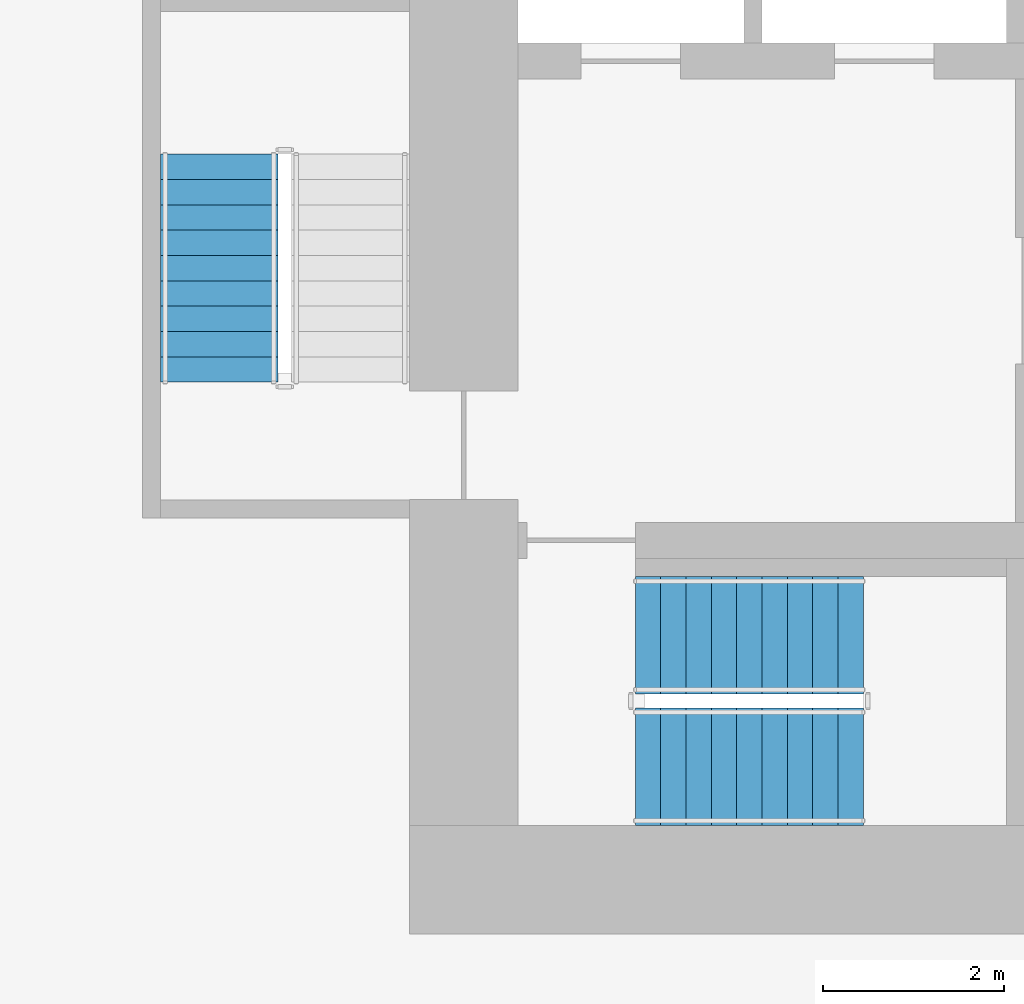
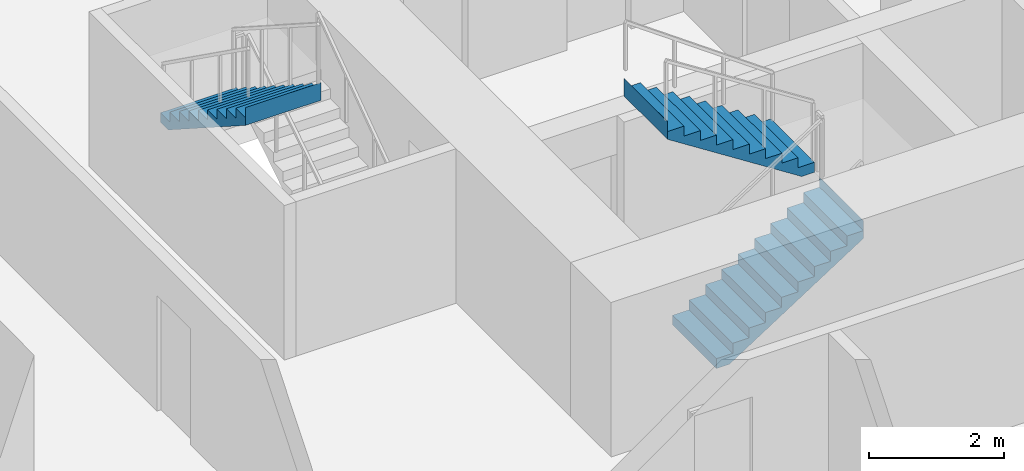
# One storey, part 15 of 21: 3 stair flights, 2 elements without a shape of their own.
"""IFC4 building model written with IfcOpenShell, lengths in metres."""

from ifc_helpers import new_model, si_unit, direction, frame, origin, place, context, subcontext, project, spatial, triangles, material, type_object, element, aggregate, save


model = new_model("IFC4")

# Units and contexts
model_context = context("Model", 3, precision=1e-05, world=origin(), true_north=direction((0.0, 1.0)))
body_context = subcontext(model_context, "Body", "Model", "MODEL_VIEW")
ifc_project = project(units=[si_unit("LENGTHUNIT", "METRE"), si_unit("AREAUNIT", "SQUARE_METRE"), si_unit("VOLUMEUNIT", "CUBIC_METRE"), si_unit("PLANEANGLEUNIT", "RADIAN"), si_unit("MASSUNIT", "GRAM", prefix="KILO")], contexts=[model_context])

# Site, building, storey
site_placement = place(None, origin())
site = spatial("IfcSite", under=ifc_project, at=site_placement, CompositionType="ELEMENT")
building_placement = place(site_placement, origin())
building = spatial("IfcBuilding", under=site, at=building_placement, Name="Beryl Residences", CompositionType="ELEMENT")
storey_placement = place(building_placement, frame((0.0, 0.0, 19.800048828125)))
storey = spatial("IfcBuildingStorey", under=building, at=storey_placement, Name="L05", CompositionType="ELEMENT", Elevation=19.800048828125)

# Stair, stair flights
ifc_material_1 = material(Name="Concrete C40/50", Category="concrete")
stair_type = type_object("IfcStairType", Name="ST1 protected exit stair, half-turn, 1300 mm flights", PredefinedType="HALF_TURN_STAIR", material=ifc_material_1)
stair_1_placement = place(storey_placement, origin())
stair_1 = element("IfcStair", 1, at=stair_1_placement, inside=storey, type_object=stair_type, Name="L05 PROTECTED EXIT STAIR ST-1", PredefinedType="HALF_TURN_STAIR")
ifc_material_2 = material(Name="Concrete C40/50", Category="concrete")
stair_flight_type = type_object("IfcStairFlightType", Name="SF1 stair flight 1300 mm", PredefinedType="STRAIGHT", material=ifc_material_2)
stair_flight_1_placement = place(storey_placement, frame((-10.800048828125, -17.14990234375, 0.0), z_axis=(0.0, 0.0, 1.0), x_axis=(1.0, 0.0, 0.0)))
stair_flight_1 = element("IfcStairFlight", 2, at=stair_flight_1_placement, type_object=stair_flight_type, Name="ST-1 flight 1", NumberOfRisers=10, NumberOfTreads=9, PredefinedType="STRAIGHT", RiserHeight=0.18, TreadLength=0.28, context=body_context, shape_type="Tessellation", body=[
    triangles([(0.0, -0.64990234375, 0.0), (0.0, -0.324951171875, 0.0), (0.0, 0.0, 0.0), (0.0, 0.324951171875, 0.0), (0.0, 0.64990234375, 0.0), (0.0, -0.64990234375, 0.179931640625), (0.0, -0.324951171875, 0.179931640625), (0.0, 0.0, 0.179931640625), (0.0, 0.324951171875, 0.179931640625), (0.0, 0.64990234375, 0.179931640625), (0.280029296875, -0.64990234375, 0.179931640625), (0.280029296875, -0.324951171875, 0.179931640625), (0.280029296875, 0.0, 0.179931640625), (0.280029296875, 0.324951171875, 0.179931640625), (0.280029296875, 0.64990234375, 0.179931640625), (0.280029296875, -0.64990234375, 0.360107421875), (0.280029296875, -0.324951171875, 0.360107421875), (0.280029296875, 0.0, 0.360107421875), (0.280029296875, 0.324951171875, 0.360107421875), (0.280029296875, 0.64990234375, 0.360107421875), (0.56005859375, -0.64990234375, 0.360107421875), (0.56005859375, -0.324951171875, 0.360107421875), (0.56005859375, 0.0, 0.360107421875), (0.56005859375, 0.324951171875, 0.360107421875), (0.56005859375, 0.64990234375, 0.360107421875), (0.56005859375, -0.64990234375, 0.5400390625), (0.56005859375, -0.324951171875, 0.5400390625), (0.56005859375, 0.0, 0.5400390625), (0.56005859375, 0.324951171875, 0.5400390625), (0.56005859375, 0.64990234375, 0.5400390625), (0.840087890625, -0.64990234375, 0.5400390625), (0.840087890625, -0.324951171875, 0.5400390625), (0.840087890625, 0.0, 0.5400390625), (0.840087890625, 0.324951171875, 0.5400390625), (0.840087890625, 0.64990234375, 0.5400390625), (0.840087890625, -0.64990234375, 0.719970703125), (0.840087890625, -0.324951171875, 0.719970703125), (0.840087890625, 0.0, 0.719970703125), (0.840087890625, 0.324951171875, 0.719970703125), (0.840087890625, 0.64990234375, 0.719970703125), (1.1201171875, -0.64990234375, 0.719970703125), (1.1201171875, -0.324951171875, 0.719970703125), (1.1201171875, 0.0, 0.719970703125), (1.1201171875, 0.324951171875, 0.719970703125), (1.1201171875, 0.64990234375, 0.719970703125), (1.1201171875, -0.64990234375, 0.89990234375), (1.1201171875, -0.324951171875, 0.89990234375), (1.1201171875, 0.0, 0.89990234375), (1.1201171875, 0.324951171875, 0.89990234375), (1.1201171875, 0.64990234375, 0.89990234375), (1.39990234375, -0.64990234375, 0.89990234375), (1.39990234375, -0.324951171875, 0.89990234375), (1.39990234375, 0.0, 0.89990234375), (1.39990234375, 0.324951171875, 0.89990234375), (1.39990234375, 0.64990234375, 0.89990234375), (1.39990234375, -0.64990234375, 1.080078125), (1.39990234375, -0.324951171875, 1.080078125), (1.39990234375, 0.0, 1.080078125), (1.39990234375, 0.324951171875, 1.080078125), (1.39990234375, 0.64990234375, 1.080078125), (1.679931640625, -0.64990234375, 1.080078125), (1.679931640625, -0.324951171875, 1.080078125), (1.679931640625, 0.0, 1.080078125), (1.679931640625, 0.324951171875, 1.080078125), (1.679931640625, 0.64990234375, 1.080078125), (1.679931640625, -0.64990234375, 1.260009765625), (1.679931640625, -0.324951171875, 1.260009765625), (1.679931640625, 0.0, 1.260009765625), (1.679931640625, 0.324951171875, 1.260009765625), (1.679931640625, 0.64990234375, 1.260009765625), (1.9599609375, -0.64990234375, 1.260009765625), (1.9599609375, -0.324951171875, 1.260009765625), (1.9599609375, 0.0, 1.260009765625), (1.9599609375, 0.324951171875, 1.260009765625), (1.9599609375, 0.64990234375, 1.260009765625), (1.9599609375, -0.64990234375, 1.43994140625), (1.9599609375, -0.324951171875, 1.43994140625), (1.9599609375, 0.0, 1.43994140625), (1.9599609375, 0.324951171875, 1.43994140625), (1.9599609375, 0.64990234375, 1.43994140625), (2.239990234375, -0.64990234375, 1.43994140625), (2.239990234375, -0.324951171875, 1.43994140625), (2.239990234375, 0.0, 1.43994140625), (2.239990234375, 0.324951171875, 1.43994140625), (2.239990234375, 0.64990234375, 1.43994140625), (2.239990234375, -0.64990234375, 1.6201171875), (2.239990234375, -0.324951171875, 1.6201171875), (2.239990234375, 0.0, 1.6201171875), (2.239990234375, 0.324951171875, 1.6201171875), (2.239990234375, 0.64990234375, 1.6201171875), (2.52001953125, -0.64990234375, 1.6201171875), (2.52001953125, -0.324951171875, 1.6201171875), (2.52001953125, 0.0, 1.6201171875), (2.52001953125, 0.324951171875, 1.6201171875), (2.52001953125, 0.64990234375, 1.6201171875), (2.52001953125, -0.64990234375, 1.800048828125), (2.52001953125, -0.324951171875, 1.800048828125), (2.52001953125, 0.0, 1.800048828125), (2.52001953125, 0.324951171875, 1.800048828125), (2.52001953125, 0.64990234375, 1.800048828125), (2.52099609375, -0.64990234375, 1.800048828125), (2.52099609375, -0.324951171875, 1.800048828125), (2.52099609375, 0.0, 1.800048828125), (2.52099609375, 0.324951171875, 1.800048828125), (2.52099609375, 0.64990234375, 1.800048828125), (2.52099609375, -0.64990234375, 1.477294921875), (2.52099609375, -0.324951171875, 1.477294921875), (2.52099609375, 0.0, 1.477294921875), (2.52099609375, 0.324951171875, 1.477294921875), (2.52099609375, 0.64990234375, 1.477294921875), (0.22314453125, -0.64990234375, 0.0), (0.22314453125, -0.324951171875, 0.0), (0.22314453125, 0.0, 0.0), (0.22314453125, 0.324951171875, 0.0), (0.22314453125, 0.64990234375, 0.0)], [[1, 6, 7], [1, 7, 2], [2, 7, 8], [2, 8, 3], [3, 8, 9], [3, 9, 4], [4, 9, 10], [4, 10, 5], [6, 11, 12], [6, 12, 7], [7, 12, 13], [7, 13, 8], [8, 13, 14], [8, 14, 9], [9, 14, 15], [9, 15, 10], [11, 16, 17], [11, 17, 12], [12, 17, 18], [12, 18, 13], [13, 18, 19], [13, 19, 14], [14, 19, 20], [14, 20, 15], [16, 21, 22], [16, 22, 17], [17, 22, 23], [17, 23, 18], [18, 23, 24], [18, 24, 19], [19, 24, 25], [19, 25, 20], [21, 26, 27], [21, 27, 22], [22, 27, 28], [22, 28, 23], [23, 28, 29], [23, 29, 24], [24, 29, 30], [24, 30, 25], [26, 31, 32], [26, 32, 27], [27, 32, 33], [27, 33, 28], [28, 33, 34], [28, 34, 29], [29, 34, 35], [29, 35, 30], [31, 36, 37], [31, 37, 32], [32, 37, 38], [32, 38, 33], [33, 38, 39], [33, 39, 34], [34, 39, 40], [34, 40, 35], [36, 41, 42], [36, 42, 37], [37, 42, 43], [37, 43, 38], [38, 43, 44], [38, 44, 39], [39, 44, 45], [39, 45, 40], [41, 46, 47], [41, 47, 42], [42, 47, 48], [42, 48, 43], [43, 48, 49], [43, 49, 44], [44, 49, 50], [44, 50, 45], [46, 51, 52], [46, 52, 47], [47, 52, 53], [47, 53, 48], [48, 53, 54], [48, 54, 49], [49, 54, 55], [49, 55, 50], [51, 56, 57], [51, 57, 52], [52, 57, 58], [52, 58, 53], [53, 58, 59], [53, 59, 54], [54, 59, 60], [54, 60, 55], [56, 61, 62], [56, 62, 57], [57, 62, 63], [57, 63, 58], [58, 63, 64], [58, 64, 59], [59, 64, 65], [59, 65, 60], [61, 66, 67], [61, 67, 62], [62, 67, 68], [62, 68, 63], [63, 68, 69], [63, 69, 64], [64, 69, 70], [64, 70, 65], [66, 71, 72], [66, 72, 67], [67, 72, 73], [67, 73, 68], [68, 73, 74], [68, 74, 69], [69, 74, 75], [69, 75, 70], [71, 76, 77], [71, 77, 72], [72, 77, 78], [72, 78, 73], [73, 78, 79], [73, 79, 74], [74, 79, 80], [74, 80, 75], [76, 81, 82], [76, 82, 77], [77, 82, 83], [77, 83, 78], [78, 83, 84], [78, 84, 79], [79, 84, 85], [79, 85, 80], [81, 86, 87], [81, 87, 82], [82, 87, 88], [82, 88, 83], [83, 88, 89], [83, 89, 84], [84, 89, 90], [84, 90, 85], [86, 91, 92], [86, 92, 87], [87, 92, 93], [87, 93, 88], [88, 93, 94], [88, 94, 89], [89, 94, 95], [89, 95, 90], [91, 96, 97], [91, 97, 92], [92, 97, 98], [92, 98, 93], [93, 98, 99], [93, 99, 94], [94, 99, 100], [94, 100, 95], [96, 101, 102], [96, 102, 97], [97, 102, 103], [97, 103, 98], [98, 103, 104], [98, 104, 99], [99, 104, 105], [99, 105, 100], [101, 106, 107], [101, 107, 102], [102, 107, 108], [102, 108, 103], [103, 108, 109], [103, 109, 104], [104, 109, 110], [104, 110, 105], [106, 111, 112], [106, 112, 107], [107, 112, 113], [107, 113, 108], [108, 113, 114], [108, 114, 109], [109, 114, 115], [109, 115, 110], [111, 1, 2], [111, 2, 112], [112, 2, 3], [112, 3, 113], [113, 3, 4], [113, 4, 114], [114, 4, 5], [114, 5, 115], [1, 111, 106], [5, 110, 115], [106, 101, 96], [110, 100, 105], [106, 96, 91], [110, 95, 100], [106, 91, 86], [110, 90, 95], [106, 86, 81], [110, 85, 90], [81, 76, 71], [85, 75, 80], [106, 81, 71], [110, 75, 85], [71, 66, 61], [75, 65, 70], [106, 71, 61], [110, 65, 75], [61, 56, 51], [65, 55, 60], [106, 61, 51], [110, 55, 65], [51, 46, 41], [55, 45, 50], [106, 51, 41], [110, 45, 55], [41, 36, 31], [45, 35, 40], [106, 41, 31], [110, 35, 45], [31, 26, 21], [35, 25, 30], [106, 31, 21], [110, 25, 35], [21, 16, 11], [25, 15, 20], [106, 21, 11], [110, 15, 25], [1, 106, 11], [5, 15, 110], [11, 6, 1], [15, 5, 10]], closed=True),
])
stair_flight_2_placement = place(storey_placement, frame((-8.280029296875, -15.699951171875, 1.800048828125), z_axis=(0.0, 0.0, 1.0), x_axis=(-1.0, 0.0, 0.0)))
stair_flight_2 = element("IfcStairFlight", 3, at=stair_flight_2_placement, type_object=stair_flight_type, Name="ST-1 flight 2", NumberOfRisers=10, NumberOfTreads=9, PredefinedType="STRAIGHT", RiserHeight=0.18, TreadLength=0.28, context=body_context, shape_type="Tessellation", body=[
    triangles([(0.0, -0.64990234375, 0.0), (0.0, -0.324951171875, 0.0), (0.0, 0.0, 0.0), (0.0, 0.324951171875, 0.0), (0.0, 0.64990234375, 0.0), (0.0, -0.64990234375, 0.179931640625), (0.0, -0.324951171875, 0.179931640625), (0.0, 0.0, 0.179931640625), (0.0, 0.324951171875, 0.179931640625), (0.0, 0.64990234375, 0.179931640625), (0.280029296875, -0.64990234375, 0.179931640625), (0.280029296875, -0.324951171875, 0.179931640625), (0.280029296875, 0.0, 0.179931640625), (0.280029296875, 0.324951171875, 0.179931640625), (0.280029296875, 0.64990234375, 0.179931640625), (0.280029296875, -0.64990234375, 0.360107421875), (0.280029296875, -0.324951171875, 0.360107421875), (0.280029296875, 0.0, 0.360107421875), (0.280029296875, 0.324951171875, 0.360107421875), (0.280029296875, 0.64990234375, 0.360107421875), (0.56005859375, -0.64990234375, 0.360107421875), (0.56005859375, -0.324951171875, 0.360107421875), (0.56005859375, 0.0, 0.360107421875), (0.56005859375, 0.324951171875, 0.360107421875), (0.56005859375, 0.64990234375, 0.360107421875), (0.56005859375, -0.64990234375, 0.5400390625), (0.56005859375, -0.324951171875, 0.5400390625), (0.56005859375, 0.0, 0.5400390625), (0.56005859375, 0.324951171875, 0.5400390625), (0.56005859375, 0.64990234375, 0.5400390625), (0.840087890625, -0.64990234375, 0.5400390625), (0.840087890625, -0.324951171875, 0.5400390625), (0.840087890625, 0.0, 0.5400390625), (0.840087890625, 0.324951171875, 0.5400390625), (0.840087890625, 0.64990234375, 0.5400390625), (0.840087890625, -0.64990234375, 0.719970703125), (0.840087890625, -0.324951171875, 0.719970703125), (0.840087890625, 0.0, 0.719970703125), (0.840087890625, 0.324951171875, 0.719970703125), (0.840087890625, 0.64990234375, 0.719970703125), (1.1201171875, -0.64990234375, 0.719970703125), (1.1201171875, -0.324951171875, 0.719970703125), (1.1201171875, 0.0, 0.719970703125), (1.1201171875, 0.324951171875, 0.719970703125), (1.1201171875, 0.64990234375, 0.719970703125), (1.1201171875, -0.64990234375, 0.89990234375), (1.1201171875, -0.324951171875, 0.89990234375), (1.1201171875, 0.0, 0.89990234375), (1.1201171875, 0.324951171875, 0.89990234375), (1.1201171875, 0.64990234375, 0.89990234375), (1.39990234375, -0.64990234375, 0.89990234375), (1.39990234375, -0.324951171875, 0.89990234375), (1.39990234375, 0.0, 0.89990234375), (1.39990234375, 0.324951171875, 0.89990234375), (1.39990234375, 0.64990234375, 0.89990234375), (1.39990234375, -0.64990234375, 1.080078125), (1.39990234375, -0.324951171875, 1.080078125), (1.39990234375, 0.0, 1.080078125), (1.39990234375, 0.324951171875, 1.080078125), (1.39990234375, 0.64990234375, 1.080078125), (1.679931640625, -0.64990234375, 1.080078125), (1.679931640625, -0.324951171875, 1.080078125), (1.679931640625, 0.0, 1.080078125), (1.679931640625, 0.324951171875, 1.080078125), (1.679931640625, 0.64990234375, 1.080078125), (1.679931640625, -0.64990234375, 1.260009765625), (1.679931640625, -0.324951171875, 1.260009765625), (1.679931640625, 0.0, 1.260009765625), (1.679931640625, 0.324951171875, 1.260009765625), (1.679931640625, 0.64990234375, 1.260009765625), (1.9599609375, -0.64990234375, 1.260009765625), (1.9599609375, -0.324951171875, 1.260009765625), (1.9599609375, 0.0, 1.260009765625), (1.9599609375, 0.324951171875, 1.260009765625), (1.9599609375, 0.64990234375, 1.260009765625), (1.9599609375, -0.64990234375, 1.43994140625), (1.9599609375, -0.324951171875, 1.43994140625), (1.9599609375, 0.0, 1.43994140625), (1.9599609375, 0.324951171875, 1.43994140625), (1.9599609375, 0.64990234375, 1.43994140625), (2.239990234375, -0.64990234375, 1.43994140625), (2.239990234375, -0.324951171875, 1.43994140625), (2.239990234375, 0.0, 1.43994140625), (2.239990234375, 0.324951171875, 1.43994140625), (2.239990234375, 0.64990234375, 1.43994140625), (2.239990234375, -0.64990234375, 1.6201171875), (2.239990234375, -0.324951171875, 1.6201171875), (2.239990234375, 0.0, 1.6201171875), (2.239990234375, 0.324951171875, 1.6201171875), (2.239990234375, 0.64990234375, 1.6201171875), (2.52001953125, -0.64990234375, 1.6201171875), (2.52001953125, -0.324951171875, 1.6201171875), (2.52001953125, 0.0, 1.6201171875), (2.52001953125, 0.324951171875, 1.6201171875), (2.52001953125, 0.64990234375, 1.6201171875), (2.52001953125, -0.64990234375, 1.800048828125), (2.52001953125, -0.324951171875, 1.800048828125), (2.52001953125, 0.0, 1.800048828125), (2.52001953125, 0.324951171875, 1.800048828125), (2.52001953125, 0.64990234375, 1.800048828125), (2.52099609375, -0.64990234375, 1.800048828125), (2.52099609375, -0.324951171875, 1.800048828125), (2.52099609375, 0.0, 1.800048828125), (2.52099609375, 0.324951171875, 1.800048828125), (2.52099609375, 0.64990234375, 1.800048828125), (2.52099609375, -0.64990234375, 1.477294921875), (2.52099609375, -0.324951171875, 1.477294921875), (2.52099609375, 0.0, 1.477294921875), (2.52099609375, 0.324951171875, 1.477294921875), (2.52099609375, 0.64990234375, 1.477294921875), (0.22314453125, -0.64990234375, 0.0), (0.22314453125, -0.324951171875, 0.0), (0.22314453125, 0.0, 0.0), (0.22314453125, 0.324951171875, 0.0), (0.22314453125, 0.64990234375, 0.0)], [[1, 6, 7], [1, 7, 2], [2, 7, 8], [2, 8, 3], [3, 8, 9], [3, 9, 4], [4, 9, 10], [4, 10, 5], [6, 11, 12], [6, 12, 7], [7, 12, 13], [7, 13, 8], [8, 13, 14], [8, 14, 9], [9, 14, 15], [9, 15, 10], [11, 16, 17], [11, 17, 12], [12, 17, 18], [12, 18, 13], [13, 18, 19], [13, 19, 14], [14, 19, 20], [14, 20, 15], [16, 21, 22], [16, 22, 17], [17, 22, 23], [17, 23, 18], [18, 23, 24], [18, 24, 19], [19, 24, 25], [19, 25, 20], [21, 26, 27], [21, 27, 22], [22, 27, 28], [22, 28, 23], [23, 28, 29], [23, 29, 24], [24, 29, 30], [24, 30, 25], [26, 31, 32], [26, 32, 27], [27, 32, 33], [27, 33, 28], [28, 33, 34], [28, 34, 29], [29, 34, 35], [29, 35, 30], [31, 36, 37], [31, 37, 32], [32, 37, 38], [32, 38, 33], [33, 38, 39], [33, 39, 34], [34, 39, 40], [34, 40, 35], [36, 41, 42], [36, 42, 37], [37, 42, 43], [37, 43, 38], [38, 43, 44], [38, 44, 39], [39, 44, 45], [39, 45, 40], [41, 46, 47], [41, 47, 42], [42, 47, 48], [42, 48, 43], [43, 48, 49], [43, 49, 44], [44, 49, 50], [44, 50, 45], [46, 51, 52], [46, 52, 47], [47, 52, 53], [47, 53, 48], [48, 53, 54], [48, 54, 49], [49, 54, 55], [49, 55, 50], [51, 56, 57], [51, 57, 52], [52, 57, 58], [52, 58, 53], [53, 58, 59], [53, 59, 54], [54, 59, 60], [54, 60, 55], [56, 61, 62], [56, 62, 57], [57, 62, 63], [57, 63, 58], [58, 63, 64], [58, 64, 59], [59, 64, 65], [59, 65, 60], [61, 66, 67], [61, 67, 62], [62, 67, 68], [62, 68, 63], [63, 68, 69], [63, 69, 64], [64, 69, 70], [64, 70, 65], [66, 71, 72], [66, 72, 67], [67, 72, 73], [67, 73, 68], [68, 73, 74], [68, 74, 69], [69, 74, 75], [69, 75, 70], [71, 76, 77], [71, 77, 72], [72, 77, 78], [72, 78, 73], [73, 78, 79], [73, 79, 74], [74, 79, 80], [74, 80, 75], [76, 81, 82], [76, 82, 77], [77, 82, 83], [77, 83, 78], [78, 83, 84], [78, 84, 79], [79, 84, 85], [79, 85, 80], [81, 86, 87], [81, 87, 82], [82, 87, 88], [82, 88, 83], [83, 88, 89], [83, 89, 84], [84, 89, 90], [84, 90, 85], [86, 91, 92], [86, 92, 87], [87, 92, 93], [87, 93, 88], [88, 93, 94], [88, 94, 89], [89, 94, 95], [89, 95, 90], [91, 96, 97], [91, 97, 92], [92, 97, 98], [92, 98, 93], [93, 98, 99], [93, 99, 94], [94, 99, 100], [94, 100, 95], [96, 101, 102], [96, 102, 97], [97, 102, 103], [97, 103, 98], [98, 103, 104], [98, 104, 99], [99, 104, 105], [99, 105, 100], [101, 106, 107], [101, 107, 102], [102, 107, 108], [102, 108, 103], [103, 108, 109], [103, 109, 104], [104, 109, 110], [104, 110, 105], [106, 111, 112], [106, 112, 107], [107, 112, 113], [107, 113, 108], [108, 113, 114], [108, 114, 109], [109, 114, 115], [109, 115, 110], [111, 1, 2], [111, 2, 112], [112, 2, 3], [112, 3, 113], [113, 3, 4], [113, 4, 114], [114, 4, 5], [114, 5, 115], [1, 111, 106], [5, 110, 115], [106, 101, 96], [110, 100, 105], [106, 96, 91], [110, 95, 100], [106, 91, 86], [110, 90, 95], [106, 86, 81], [110, 85, 90], [81, 76, 71], [85, 75, 80], [106, 81, 71], [110, 75, 85], [71, 66, 61], [75, 65, 70], [106, 71, 61], [110, 65, 75], [61, 56, 51], [65, 55, 60], [106, 61, 51], [110, 55, 65], [51, 46, 41], [55, 45, 50], [106, 51, 41], [110, 45, 55], [41, 36, 31], [45, 35, 40], [106, 41, 31], [110, 35, 45], [31, 26, 21], [35, 25, 30], [106, 31, 21], [110, 25, 35], [21, 16, 11], [25, 15, 20], [106, 21, 11], [110, 15, 25], [1, 106, 11], [5, 15, 110], [11, 6, 1], [15, 5, 10]], closed=True),
])
aggregate(stair_1, [stair_flight_1, stair_flight_2])

# Stair, stair flight
stair_2_placement = place(storey_placement, origin())
stair_2 = element("IfcStair", 4, at=stair_2_placement, inside=storey, type_object=stair_type, Name="L05 PROTECTED EXIT STAIR ST-2", PredefinedType="HALF_TURN_STAIR")
stair_flight_3_placement = place(storey_placement, frame((-15.39990234375, -10.3798828125, 1.800048828125), z_axis=(0.0, 0.0, 1.0), x_axis=(0.0, -1.0, 0.0)))
stair_flight_3 = element("IfcStairFlight", 5, at=stair_flight_3_placement, type_object=stair_flight_type, Name="ST-2 flight 2", NumberOfRisers=10, NumberOfTreads=9, PredefinedType="STRAIGHT", RiserHeight=0.18, TreadLength=0.28, context=body_context, shape_type="Tessellation", body=[
    triangles([(0.0, -0.64990234375, 0.0), (0.0, -0.324951171875, 0.0), (0.0, 0.0, 0.0), (0.0, 0.324951171875, 0.0), (0.0, 0.64990234375, 0.0), (0.0, -0.64990234375, 0.179931640625), (0.0, -0.324951171875, 0.179931640625), (0.0, 0.0, 0.179931640625), (0.0, 0.324951171875, 0.179931640625), (0.0, 0.64990234375, 0.179931640625), (0.280029296875, -0.64990234375, 0.179931640625), (0.280029296875, -0.324951171875, 0.179931640625), (0.280029296875, 0.0, 0.179931640625), (0.280029296875, 0.324951171875, 0.179931640625), (0.280029296875, 0.64990234375, 0.179931640625), (0.280029296875, -0.64990234375, 0.360107421875), (0.280029296875, -0.324951171875, 0.360107421875), (0.280029296875, 0.0, 0.360107421875), (0.280029296875, 0.324951171875, 0.360107421875), (0.280029296875, 0.64990234375, 0.360107421875), (0.56005859375, -0.64990234375, 0.360107421875), (0.56005859375, -0.324951171875, 0.360107421875), (0.56005859375, 0.0, 0.360107421875), (0.56005859375, 0.324951171875, 0.360107421875), (0.56005859375, 0.64990234375, 0.360107421875), (0.56005859375, -0.64990234375, 0.5400390625), (0.56005859375, -0.324951171875, 0.5400390625), (0.56005859375, 0.0, 0.5400390625), (0.56005859375, 0.324951171875, 0.5400390625), (0.56005859375, 0.64990234375, 0.5400390625), (0.840087890625, -0.64990234375, 0.5400390625), (0.840087890625, -0.324951171875, 0.5400390625), (0.840087890625, 0.0, 0.5400390625), (0.840087890625, 0.324951171875, 0.5400390625), (0.840087890625, 0.64990234375, 0.5400390625), (0.840087890625, -0.64990234375, 0.719970703125), (0.840087890625, -0.324951171875, 0.719970703125), (0.840087890625, 0.0, 0.719970703125), (0.840087890625, 0.324951171875, 0.719970703125), (0.840087890625, 0.64990234375, 0.719970703125), (1.1201171875, -0.64990234375, 0.719970703125), (1.1201171875, -0.324951171875, 0.719970703125), (1.1201171875, 0.0, 0.719970703125), (1.1201171875, 0.324951171875, 0.719970703125), (1.1201171875, 0.64990234375, 0.719970703125), (1.1201171875, -0.64990234375, 0.89990234375), (1.1201171875, -0.324951171875, 0.89990234375), (1.1201171875, 0.0, 0.89990234375), (1.1201171875, 0.324951171875, 0.89990234375), (1.1201171875, 0.64990234375, 0.89990234375), (1.39990234375, -0.64990234375, 0.89990234375), (1.39990234375, -0.324951171875, 0.89990234375), (1.39990234375, 0.0, 0.89990234375), (1.39990234375, 0.324951171875, 0.89990234375), (1.39990234375, 0.64990234375, 0.89990234375), (1.39990234375, -0.64990234375, 1.080078125), (1.39990234375, -0.324951171875, 1.080078125), (1.39990234375, 0.0, 1.080078125), (1.39990234375, 0.324951171875, 1.080078125), (1.39990234375, 0.64990234375, 1.080078125), (1.679931640625, -0.64990234375, 1.080078125), (1.679931640625, -0.324951171875, 1.080078125), (1.679931640625, 0.0, 1.080078125), (1.679931640625, 0.324951171875, 1.080078125), (1.679931640625, 0.64990234375, 1.080078125), (1.679931640625, -0.64990234375, 1.260009765625), (1.679931640625, -0.324951171875, 1.260009765625), (1.679931640625, 0.0, 1.260009765625), (1.679931640625, 0.324951171875, 1.260009765625), (1.679931640625, 0.64990234375, 1.260009765625), (1.9599609375, -0.64990234375, 1.260009765625), (1.9599609375, -0.324951171875, 1.260009765625), (1.9599609375, 0.0, 1.260009765625), (1.9599609375, 0.324951171875, 1.260009765625), (1.9599609375, 0.64990234375, 1.260009765625), (1.9599609375, -0.64990234375, 1.43994140625), (1.9599609375, -0.324951171875, 1.43994140625), (1.9599609375, 0.0, 1.43994140625), (1.9599609375, 0.324951171875, 1.43994140625), (1.9599609375, 0.64990234375, 1.43994140625), (2.239990234375, -0.64990234375, 1.43994140625), (2.239990234375, -0.324951171875, 1.43994140625), (2.239990234375, 0.0, 1.43994140625), (2.239990234375, 0.324951171875, 1.43994140625), (2.239990234375, 0.64990234375, 1.43994140625), (2.239990234375, -0.64990234375, 1.6201171875), (2.239990234375, -0.324951171875, 1.6201171875), (2.239990234375, 0.0, 1.6201171875), (2.239990234375, 0.324951171875, 1.6201171875), (2.239990234375, 0.64990234375, 1.6201171875), (2.52001953125, -0.64990234375, 1.6201171875), (2.52001953125, -0.324951171875, 1.6201171875), (2.52001953125, 0.0, 1.6201171875), (2.52001953125, 0.324951171875, 1.6201171875), (2.52001953125, 0.64990234375, 1.6201171875), (2.52001953125, -0.64990234375, 1.800048828125), (2.52001953125, -0.324951171875, 1.800048828125), (2.52001953125, 0.0, 1.800048828125), (2.52001953125, 0.324951171875, 1.800048828125), (2.52001953125, 0.64990234375, 1.800048828125), (2.52099609375, -0.64990234375, 1.800048828125), (2.52099609375, -0.324951171875, 1.800048828125), (2.52099609375, 0.0, 1.800048828125), (2.52099609375, 0.324951171875, 1.800048828125), (2.52099609375, 0.64990234375, 1.800048828125), (2.52099609375, -0.64990234375, 1.477294921875), (2.52099609375, -0.324951171875, 1.477294921875), (2.52099609375, 0.0, 1.477294921875), (2.52099609375, 0.324951171875, 1.477294921875), (2.52099609375, 0.64990234375, 1.477294921875), (0.22314453125, -0.64990234375, 0.0), (0.22314453125, -0.324951171875, 0.0), (0.22314453125, 0.0, 0.0), (0.22314453125, 0.324951171875, 0.0), (0.22314453125, 0.64990234375, 0.0)], [[1, 6, 7], [1, 7, 2], [2, 7, 8], [2, 8, 3], [3, 8, 9], [3, 9, 4], [4, 9, 10], [4, 10, 5], [6, 11, 12], [6, 12, 7], [7, 12, 13], [7, 13, 8], [8, 13, 14], [8, 14, 9], [9, 14, 15], [9, 15, 10], [11, 16, 17], [11, 17, 12], [12, 17, 18], [12, 18, 13], [13, 18, 19], [13, 19, 14], [14, 19, 20], [14, 20, 15], [16, 21, 22], [16, 22, 17], [17, 22, 23], [17, 23, 18], [18, 23, 24], [18, 24, 19], [19, 24, 25], [19, 25, 20], [21, 26, 27], [21, 27, 22], [22, 27, 28], [22, 28, 23], [23, 28, 29], [23, 29, 24], [24, 29, 30], [24, 30, 25], [26, 31, 32], [26, 32, 27], [27, 32, 33], [27, 33, 28], [28, 33, 34], [28, 34, 29], [29, 34, 35], [29, 35, 30], [31, 36, 37], [31, 37, 32], [32, 37, 38], [32, 38, 33], [33, 38, 39], [33, 39, 34], [34, 39, 40], [34, 40, 35], [36, 41, 42], [36, 42, 37], [37, 42, 43], [37, 43, 38], [38, 43, 44], [38, 44, 39], [39, 44, 45], [39, 45, 40], [41, 46, 47], [41, 47, 42], [42, 47, 48], [42, 48, 43], [43, 48, 49], [43, 49, 44], [44, 49, 50], [44, 50, 45], [46, 51, 52], [46, 52, 47], [47, 52, 53], [47, 53, 48], [48, 53, 54], [48, 54, 49], [49, 54, 55], [49, 55, 50], [51, 56, 57], [51, 57, 52], [52, 57, 58], [52, 58, 53], [53, 58, 59], [53, 59, 54], [54, 59, 60], [54, 60, 55], [56, 61, 62], [56, 62, 57], [57, 62, 63], [57, 63, 58], [58, 63, 64], [58, 64, 59], [59, 64, 65], [59, 65, 60], [61, 66, 67], [61, 67, 62], [62, 67, 68], [62, 68, 63], [63, 68, 69], [63, 69, 64], [64, 69, 70], [64, 70, 65], [66, 71, 72], [66, 72, 67], [67, 72, 73], [67, 73, 68], [68, 73, 74], [68, 74, 69], [69, 74, 75], [69, 75, 70], [71, 76, 77], [71, 77, 72], [72, 77, 78], [72, 78, 73], [73, 78, 79], [73, 79, 74], [74, 79, 80], [74, 80, 75], [76, 81, 82], [76, 82, 77], [77, 82, 83], [77, 83, 78], [78, 83, 84], [78, 84, 79], [79, 84, 85], [79, 85, 80], [81, 86, 87], [81, 87, 82], [82, 87, 88], [82, 88, 83], [83, 88, 89], [83, 89, 84], [84, 89, 90], [84, 90, 85], [86, 91, 92], [86, 92, 87], [87, 92, 93], [87, 93, 88], [88, 93, 94], [88, 94, 89], [89, 94, 95], [89, 95, 90], [91, 96, 97], [91, 97, 92], [92, 97, 98], [92, 98, 93], [93, 98, 99], [93, 99, 94], [94, 99, 100], [94, 100, 95], [96, 101, 102], [96, 102, 97], [97, 102, 103], [97, 103, 98], [98, 103, 104], [98, 104, 99], [99, 104, 105], [99, 105, 100], [101, 106, 107], [101, 107, 102], [102, 107, 108], [102, 108, 103], [103, 108, 109], [103, 109, 104], [104, 109, 110], [104, 110, 105], [106, 111, 112], [106, 112, 107], [107, 112, 113], [107, 113, 108], [108, 113, 114], [108, 114, 109], [109, 114, 115], [109, 115, 110], [111, 1, 2], [111, 2, 112], [112, 2, 3], [112, 3, 113], [113, 3, 4], [113, 4, 114], [114, 4, 5], [114, 5, 115], [1, 111, 106], [5, 110, 115], [106, 101, 96], [110, 100, 105], [106, 96, 91], [110, 95, 100], [106, 91, 86], [110, 90, 95], [106, 86, 81], [110, 85, 90], [81, 76, 71], [85, 75, 80], [106, 81, 71], [110, 75, 85], [71, 66, 61], [75, 65, 70], [106, 71, 61], [110, 65, 75], [61, 56, 51], [65, 55, 60], [106, 61, 51], [110, 55, 65], [51, 46, 41], [55, 45, 50], [106, 51, 41], [110, 45, 55], [41, 36, 31], [45, 35, 40], [106, 41, 31], [110, 35, 45], [31, 26, 21], [35, 25, 30], [106, 31, 21], [110, 25, 35], [21, 16, 11], [25, 15, 20], [106, 21, 11], [110, 15, 25], [1, 106, 11], [5, 15, 110], [11, 6, 1], [15, 5, 10]], closed=True),
])
aggregate(stair_2, [stair_flight_3])

save(model, "model.ifc")
